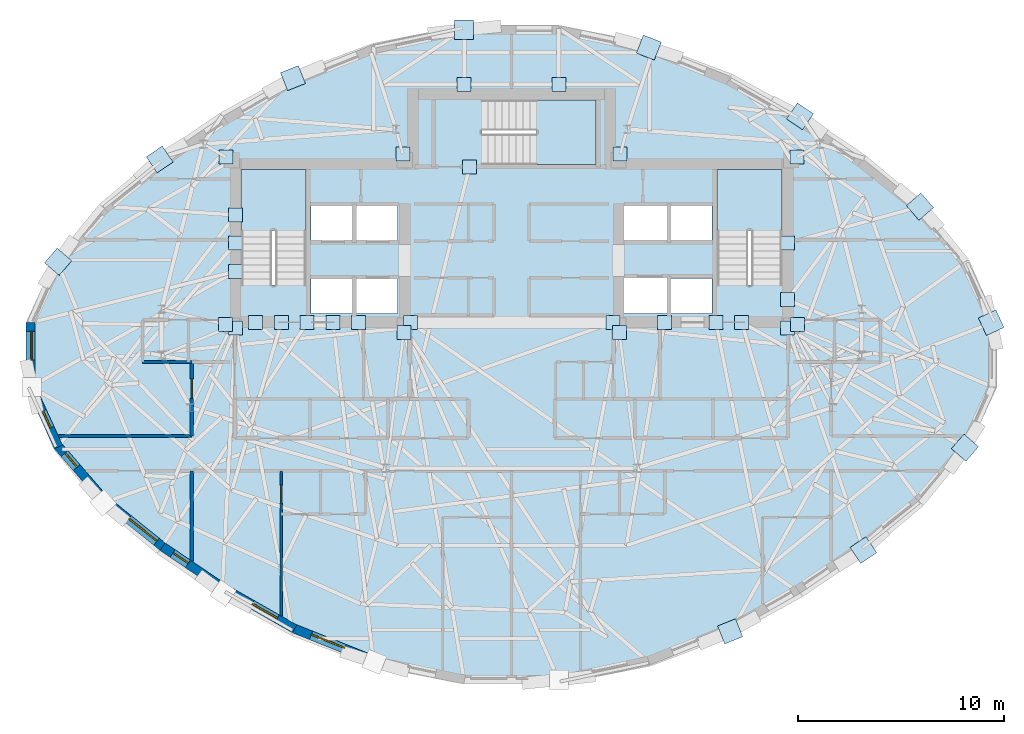
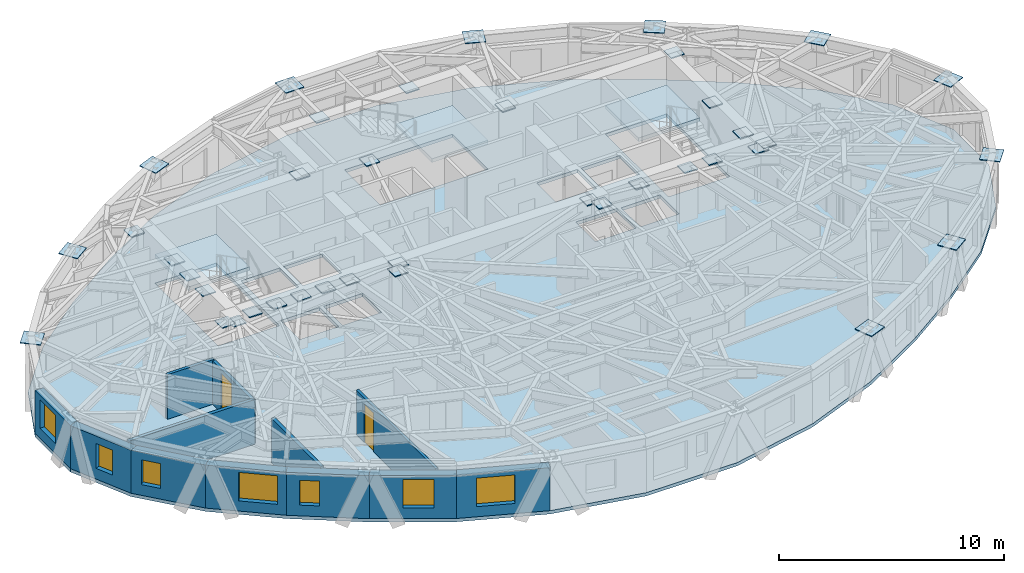
# One storey, part 5 of 14: 39 plates, 12 walls, 7 windows, 4 slabs, 2 doors, 9 openings, 3 elements without a shape of their own.
"""IFC4 building model written with IfcOpenShell, lengths in metres."""

from ifc_helpers import new_model, si_unit, direction, frame, frame_2d, origin, origin_2d, place, context, subcontext, project, spatial, polyline, rectangle, outline, extrude, material, layer, layer_set, type_object, element, fill, aggregate, save


model = new_model("IFC4")

# Units and contexts
model_context = context("Model", 3, precision=1e-05, world=origin(), true_north=direction((0.0, 1.0)))
body_context = subcontext(model_context, "Body", "Model", "MODEL_VIEW")
ifc_project = project(units=[si_unit("LENGTHUNIT", "METRE"), si_unit("AREAUNIT", "SQUARE_METRE"), si_unit("VOLUMEUNIT", "CUBIC_METRE"), si_unit("PLANEANGLEUNIT", "RADIAN"), si_unit("MASSUNIT", "GRAM", prefix="KILO")], contexts=[model_context])

# Site, building, storey
site_placement = place(None, origin())
site = spatial("IfcSite", under=ifc_project, at=site_placement, CompositionType="ELEMENT")
building_placement = place(site_placement, origin())
building = spatial("IfcBuilding", under=site, at=building_placement, Name="Keldmark Tower", CompositionType="ELEMENT")
storey_placement = place(building_placement, frame((0.0, 0.0, 213.14990234375)))
storey = spatial("IfcBuildingStorey", under=building, at=storey_placement, Name="L59", CompositionType="ELEMENT", Elevation=213.14990234375)

# Plates
ifc_material_1 = material(Name="Steel ASTM A572 Grade 50", Category="steel")
ifc_layer_1 = layer(ifc_material_1, 0.06005859375)
ifc_layer_set_1 = layer_set([ifc_layer_1], Name="Steel ASTM A572 Grade 50")
plate_type_1 = type_object("IfcPlateType", Name="Belt Truss Kink Node Assembly KN01 60 mm", PredefinedType="USERDEFINED", material=ifc_layer_set_1)
for number, where, z_axis, x_axis, name in (
    (1, (13.91162109375, 1.473388671875, 2.67822265625), (0.0, 0.0, 1.0), (1.0, 0.0, 0.0), "L59 Core Wall Cast-In Embed Plate 1731"),
    (2, (13.878173828125, 9.608154296875, 2.67822265625), (0.0, 0.0, 1.0), (1.0, 0.0, 0.0), "L59 Core Wall Cast-In Embed Plate 1732"),
    (3, (5.28515625, 9.758544921875, 2.67822265625), (0.0, 0.0, 1.0), (1.0, 0.0, 0.0), "L59 Core Wall Cast-In Embed Plate 1733"),
    (4, (-5.28515625, 9.758544921875, 2.67822265625), (0.0, 0.0, 1.0), (1.0, 0.0, 0.0), "L59 Core Wall Cast-In Embed Plate 1734"),
    (5, (-13.878173828125, 9.608154296875, 2.67822265625), (0.0, 0.0, 1.0), (1.0, 0.0, 0.0), "L59 Core Wall Cast-In Embed Plate 1735"),
    (6, (-13.91162109375, 1.473388671875, 2.67822265625), (0.0, 0.0, 1.0), (1.0, 0.0, 0.0), "L59 Core Wall Cast-In Embed Plate 1736"),
    (7, (-5.24072265625, 1.08251953125, 2.67822265625), (0.0, 0.0, 1.0), (1.0, 0.0, 0.0), "L59 Core Wall Cast-In Embed Plate 1737"),
    (8, (5.24072265625, 1.08251953125, 2.67822265625), (0.0, 0.0, 1.0), (1.0, 0.0, 0.0), "L59 Core Wall Cast-In Embed Plate 1738"),
    (9, (-11.19287109375, 1.574951171875, 2.67431640625), (0.0, 0.0, 1.0), (1.0, 0.0, 0.0), "L59 Core Wall Cast-In Embed Plate 1739"),
    (10, (-7.43212890625, 1.574951171875, 2.67431640625), (0.0, 0.0, 1.0), (1.0, 0.0, 0.0), "L59 Core Wall Cast-In Embed Plate 1740"),
    (11, (7.43212890625, 1.574951171875, 2.67431640625), (0.0, 0.0, 1.0), (1.0, 0.0, 0.0), "L59 Core Wall Cast-In Embed Plate 1741"),
    (12, (11.19287109375, 1.574951171875, 2.67431640625), (0.0, 0.0, 1.0), (1.0, 0.0, 0.0), "L59 Core Wall Cast-In Embed Plate 1742"),
    (13, (13.425048828125, 2.675048828125, 2.67431640625), (0.0, 0.0, 1.0), (1.0, 0.0, 0.0), "L59 Core Wall Cast-In Embed Plate 1743"),
    (14, (-13.425048828125, 1.300048828125, 2.67431640625), (0.0, 0.0, 1.0), (1.0, 0.0, 0.0), "L59 Core Wall Cast-In Embed Plate 1744"),
    (15, (-2.04296875, 9.139892578125, 2.67431640625), (0.0, 0.0, 1.0), (1.0, 0.0, 0.0), "L59 Core Wall Cast-In Embed Plate 1745"),
    (16, (9.939208984375, 1.574951171875, 2.67431640625), (0.0, 0.0, 1.0), (1.0, 0.0, 0.0), "L59 Core Wall Cast-In Embed Plate 1746"),
    (17, (13.425048828125, 1.300048828125, 2.67431640625), (0.0, 0.0, 1.0), (1.0, 0.0, 0.0), "L59 Core Wall Cast-In Embed Plate 1747"),
    (18, (13.425048828125, 5.425048828125, 2.67431640625), (0.0, 0.0, 1.0), (1.0, 0.0, 0.0), "L59 Core Wall Cast-In Embed Plate 1748"),
    (19, (-13.425048828125, 4.050048828125, 2.67431640625), (0.0, 0.0, 1.0), (1.0, 0.0, 0.0), "L59 Core Wall Cast-In Embed Plate 1749"),
    (20, (-13.425048828125, 5.425048828125, 2.67431640625), (0.0, 0.0, 1.0), (1.0, 0.0, 0.0), "L59 Core Wall Cast-In Embed Plate 1750"),
    (21, (-13.425048828125, 6.800048828125, 2.67431640625), (0.0, 0.0, 1.0), (1.0, 0.0, 0.0), "L59 Core Wall Cast-In Embed Plate 1751"),
    (22, (4.925048828125, 1.574951171875, 2.67431640625), (0.0, 0.0, 1.0), (1.0, 0.0, 0.0), "L59 Core Wall Cast-In Embed Plate 1752"),
    (23, (-9.939208984375, 1.574951171875, 2.67431640625), (0.0, 0.0, 1.0), (1.0, 0.0, 0.0), "L59 Core Wall Cast-In Embed Plate 1753"),
    (24, (-8.685791015625, 1.574951171875, 2.67431640625), (0.0, 0.0, 1.0), (1.0, 0.0, 0.0), "L59 Core Wall Cast-In Embed Plate 1754"),
    (25, (-12.4462890625, 1.574951171875, 2.67431640625), (0.0, 0.0, 1.0), (1.0, 0.0, 0.0), "L59 Core Wall Cast-In Embed Plate 1755"),
    (26, (-4.925048828125, 1.574951171875, 2.67431640625), (0.0, 0.0, 1.0), (1.0, 0.0, 0.0), "L59 Core Wall Cast-In Embed Plate 1756"),
    (27, (2.302978515625, 13.14990234375, 2.67431640625), (0.0, 0.0, 1.0), (1.0, 0.0, 0.0), "L59 Core Wall Cast-In Embed Plate 1757"),
    (28, (-2.302978515625, 13.14990234375, 2.67431640625), (0.0, 0.0, 1.0), (1.0, 0.0, 0.0), "L59 Core Wall Cast-In Embed Plate 1758"),
):
    element("IfcPlate", number, at=place(storey_placement, frame(where, z_axis=z_axis, x_axis=x_axis)), inside=storey, type_object=plate_type_1, Name=name, ObjectType="CAP PLATE", PredefinedType="USERDEFINED", context=body_context, shape_type="SweptSolid", body=[
        extrude(rectangle(XDim=0.679931640625, YDim=0.679931640625, at=origin_2d()), origin(), (0.0, 0.0, 1.0), 0.054931640625),
    ])
ifc_material_2 = material(Name="Steel ASTM A572 Grade 50", Category="steel")
ifc_layer_2 = layer(ifc_material_2, 0.0400390625)
ifc_layer_set_2 = layer_set([ifc_layer_2], Name="Steel ASTM A572 Grade 50")
plate_type_2 = type_object("IfcPlateType", Name="Diagrid Node Assembly DN05 40 mm", PredefinedType="USERDEFINED", material=ifc_layer_set_2)
for number, where, z_axis, x_axis, name in (
    (29, (23.32421875, 1.55615234375, 2.830078125), (0.0, 0.0, 1.0), (-0.417391322773, 0.908726847669, 0.0), "L59 Diagrid Node Assembly 01"),
    (30, (19.85986328125, 7.202880859375, 2.830078125), (0.0, 0.0, 1.0), (-0.654080957909, 0.756424550435, 0.0), "L59 Diagrid Node Assembly 02"),
    (31, (14.026123046875, 11.591796875, 2.830078125), (0.0, 0.0, 1.0), (-0.827570769564, 0.561361399958, 0.0), "L59 Diagrid Node Assembly 04"),
    (32, (6.676025390625, 14.93701171875, 2.830078125), (0.0, 0.0, 1.0), (-0.929197090365, 0.369584587417, 0.0), "L59 Diagrid Node Assembly 06"),
    (33, (-2.30908203125, 15.800048828125, 2.830078125), (0.0, 0.0, 1.0), (-1.0, 0.0, 0.0), "L59 Diagrid Node Assembly 08"),
    (34, (-10.628662109375, 13.450927734375, 2.830078125), (0.0, 0.0, 1.0), (-0.929197090365, -0.369584587417, 0.0), "L59 Diagrid Node Assembly 10"),
    (35, (-17.109375, 9.498046875, 2.830078125), (0.0, 0.0, 1.0), (-0.827570769564, -0.561361399958, 0.0), "L59 Diagrid Node Assembly 12"),
    (36, (-22.048583984375, 4.518798828125, 2.830078125), (0.0, 0.0, 1.0), (-0.654080957909, -0.756424550435, 0.0), "L59 Diagrid Node Assembly 14"),
    (37, (10.628662109375, -13.450927734375, 2.830078125), (0.0, 0.0, 1.0), (0.929197090365, 0.369584587417, 0.0), "L59 Diagrid Node Assembly 26"),
    (38, (17.109375, -9.498046875, 2.830078125), (0.0, 0.0, 1.0), (0.827570769564, 0.561361399958, 0.0), "L59 Diagrid Node Assembly 28"),
    (39, (22.048583984375, -4.518798828125, 2.830078125), (0.0, 0.0, 1.0), (0.654080957909, 0.756424550435, 0.0), "L59 Diagrid Node Assembly 30"),
):
    element("IfcPlate", number, at=place(storey_placement, frame(where, z_axis=z_axis, x_axis=x_axis)), inside=storey, type_object=plate_type_2, Name=name, ObjectType="GUSSET", PredefinedType="USERDEFINED", context=body_context, shape_type="SweptSolid", body=[
        extrude(rectangle(XDim=0.93994140625, YDim=0.93994140625, at=origin_2d()), origin(), (0.0, 0.0, 1.0), 0.0400390625),
    ])

# Slab
ifc_material_3 = material(Name="Concrete C35/45", Category="concrete")
ifc_layer_3 = layer(ifc_material_3, 0.179931640625)
ifc_layer_set_3 = layer_set([ifc_layer_3], Name="Concrete C35/45")
slab_type_1 = type_object("IfcSlabType", Name="Hotel and Residential Slab 180 mm", PredefinedType="FLOOR", material=ifc_layer_set_3)
slab_1_placement = place(storey_placement, frame((0.0, 0.0, -0.179931640625)))
element("IfcSlab", 40, at=slab_1_placement, inside=storey, type_object=slab_type_1, Name="L59 Composite Structural Floor Slab", PredefinedType="FLOOR", context=body_context, shape_type="SweptSolid", body=[
    extrude(outline(polyline([(23.609130859375, 1.5771484375), (22.232666015625, 4.57421875), (19.9375, 7.227783203125), (17.096435546875, 9.51611328125), (14.03076171875, 11.595458984375), (10.656982421875, 13.5224609375), (6.744140625, 15.0791015625), (2.3251953125, 16.0126953125), (-2.3251953125, 16.0126953125), (-6.744140625, 15.0791015625), (-10.656982421875, 13.5224609375), (-14.03076171875, 11.595458984375), (-17.096435546875, 9.51611328125), (-19.9375, 7.227783203125), (-22.232666015625, 4.57421875), (-23.609130859375, 1.5771484375), (-23.609130859375, -1.5771484375), (-22.232666015625, -4.57421875), (-19.9375, -7.227783203125), (-17.096435546875, -9.51611328125), (-14.03076171875, -11.595458984375), (-10.656982421875, -13.5224609375), (-6.744140625, -15.0791015625), (-2.3251953125, -16.0126953125), (2.3251953125, -16.0126953125), (6.744140625, -15.0791015625), (10.656982421875, -13.5224609375), (14.03076171875, -11.595458984375), (17.096435546875, -9.51611328125), (19.9375, -7.227783203125), (22.232666015625, -4.57421875), (23.609130859375, -1.5771484375), (23.609130859375, 1.5771484375)]), holes=[polyline([(-10.0, 3.385009765625), (-10.0, 9.0), (-13.14990234375, 9.0), (-13.14990234375, 3.385009765625), (-10.0, 3.385009765625)]), polyline([(13.14990234375, 3.385009765625), (13.14990234375, 9.0), (10.0, 9.0), (10.0, 3.385009765625), (13.14990234375, 3.385009765625)]), polyline([(-1.43994140625, 9.25), (4.10498046875, 9.25), (4.10498046875, 12.39990234375), (-1.43994140625, 12.39990234375), (-1.43994140625, 9.25)]), polyline([(-9.75, 2.0), (-7.75, 2.0), (-7.75, 3.699951171875), (-9.75, 3.699951171875), (-9.75, 2.0)]), polyline([(7.75, 2.0), (9.75, 2.0), (9.75, 3.699951171875), (7.75, 3.699951171875), (7.75, 2.0)]), polyline([(5.449951171875, 2.0), (7.550048828125, 2.0), (7.550048828125, 3.75), (5.449951171875, 3.75), (5.449951171875, 2.0)]), polyline([(-9.75, 5.550048828125), (-7.75, 5.550048828125), (-7.75, 7.25), (-9.75, 7.25), (-9.75, 5.550048828125)]), polyline([(-7.550048828125, 5.550048828125), (-5.550048828125, 5.550048828125), (-5.550048828125, 7.25), (-7.550048828125, 7.25), (-7.550048828125, 5.550048828125)]), polyline([(-7.550048828125, 2.0), (-5.550048828125, 2.0), (-5.550048828125, 3.699951171875), (-7.550048828125, 3.699951171875), (-7.550048828125, 2.0)]), polyline([(5.449951171875, 5.550048828125), (7.550048828125, 5.550048828125), (7.550048828125, 7.25), (5.449951171875, 7.25), (5.449951171875, 5.550048828125)]), polyline([(7.75, 5.550048828125), (9.75, 5.550048828125), (9.75, 7.25), (7.75, 7.25), (7.75, 5.550048828125)])]), origin(), (0.0, 0.0, 1.0), 0.179931640625),
])

# Stair, slab
ifc_material_4 = material(Name="Concrete C40/50", Category="concrete")
stair_type = type_object("IfcStairType", Name="Precast Concrete Core Exit Stair", PredefinedType="HALF_TURN_STAIR", material=ifc_material_4)
stair_1_placement = place(storey_placement, origin())
stair_1 = element("IfcStair", 41, at=stair_1_placement, inside=storey, type_object=stair_type, Name="L59 Exit Stair ST1", PredefinedType="HALF_TURN_STAIR")
ifc_material_5 = material(Name="Concrete C40/50", Category="concrete")
ifc_layer_4 = layer(ifc_material_5, 0.199951171875)
ifc_layer_set_4 = layer_set([ifc_layer_4], Name="Concrete C40/50")
slab_type_2 = type_object("IfcSlabType", Name="Reinforced Concrete Stair Landing 200 mm", PredefinedType="LANDING", material=ifc_layer_set_4)
slab_2_placement = place(storey_placement, frame((0.0, 0.0, 1.375)))
slab_2 = element("IfcSlab", 42, at=slab_2_placement, type_object=slab_type_2, Name="ST1 landing 1", PredefinedType="LANDING", context=body_context, shape_type="SweptSolid", body=[
    extrude(outline(polyline([(-10.0, 6.050048828125), (-10.0, 9.0), (-13.14990234375, 9.0), (-13.14990234375, 6.050048828125), (-10.0, 6.050048828125)])), origin(), (0.0, 0.0, 1.0), 0.2001953125),
])
aggregate(stair_1, [slab_2])

stair_2_placement = place(storey_placement, origin())
stair_2 = element("IfcStair", 43, at=stair_2_placement, inside=storey, type_object=stair_type, Name="L59 Exit Stair ST2", PredefinedType="HALF_TURN_STAIR")
slab_3_placement = place(storey_placement, frame((0.0, 0.0, 1.375)))
slab_3 = element("IfcSlab", 44, at=slab_3_placement, type_object=slab_type_2, Name="ST2 landing 1", PredefinedType="LANDING", context=body_context, shape_type="SweptSolid", body=[
    extrude(outline(polyline([(13.14990234375, 6.050048828125), (13.14990234375, 9.0), (10.0, 9.0), (10.0, 6.050048828125), (13.14990234375, 6.050048828125)])), origin(), (0.0, 0.0, 1.0), 0.2001953125),
])
aggregate(stair_2, [slab_3])

stair_3_placement = place(storey_placement, origin())
stair_3 = element("IfcStair", 45, at=stair_3_placement, inside=storey, type_object=stair_type, Name="L59 Exit Stair ST3", PredefinedType="HALF_TURN_STAIR")
slab_4_placement = place(storey_placement, frame((0.0, 0.0, 1.375)))
slab_4 = element("IfcSlab", 46, at=slab_4_placement, type_object=slab_type_2, Name="ST3 landing 1", PredefinedType="LANDING", context=body_context, shape_type="SweptSolid", body=[
    extrude(outline(polyline([(1.22509765625, 9.25), (4.10498046875, 9.25), (4.10498046875, 12.39990234375), (1.22509765625, 12.39990234375), (1.22509765625, 9.25)])), origin(), (0.0, 0.0, 1.0), 0.2001953125),
])
aggregate(stair_3, [slab_4])

# Wall, opening, door
ifc_material_6 = material(Name="Acoustic Gypsum Board Interior Partition", Category="gypsum")
ifc_layer_5 = layer(ifc_material_6, 0.1298828125)
ifc_layer_set_5 = layer_set([ifc_layer_5], Name="Acoustic Gypsum Board Interior Partition")
wall_type_1 = type_object("IfcWallType", Name="Interior Partition 130 mm", PredefinedType="PARTITIONING", material=ifc_layer_set_5)
wall_1_placement = place(storey_placement, frame((-11.199951171875, -12.6962890625, 0.0), z_axis=(0.0, 0.0, 1.0), x_axis=(0.0, 1.0, 0.0)))
wall_1 = element("IfcWall", 47, at=wall_1_placement, inside=storey, type_object=wall_type_1, Name="L59 Interior Partition 130 mm UA-BR1-E", PredefinedType="PARTITIONING", context=body_context, shape_type="SweptSolid", body=[
    extrude(rectangle(XDim=7.04638671875, YDim=0.1298828125, at=frame_2d((3.523193359375, 0.0))), origin(), (0.0, 0.0, 1.0), 2.423095703125),
])
opening_1_placement = place(wall_1_placement, frame((5.496337890625, 0.0, 0.0)))
opening_1 = element("IfcOpeningElement", 48, at=opening_1_placement, cuts=wall_1, Name="Opening D-BR085", PredefinedType="OPENING", context=body_context, shape_type="SweptSolid", body=[
    extrude(rectangle(XDim=0.85009765625, YDim=2.10009765625, at=frame_2d((0.425048828125, 1.050048828125))), frame((0.0, 0.074951171875, 0.0), z_axis=(0.0, -1.0, 0.0), x_axis=(1.0, 0.0, 0.0)), (0.0, 0.0, 1.0), 0.14990234375),
])
ifc_material_7 = material(Name="Solid-Core Stained Walnut Wood", Category="wood")
door_type_1 = type_object("IfcDoorType", Name="Bedroom Door 850x2100", OperationType="NOTDEFINED", PredefinedType="DOOR", material=ifc_material_7)
door_1_placement = place(opening_1_placement, origin())
door_1 = element("IfcDoor", 49, at=door_1_placement, inside=storey, type_object=door_type_1, Name="L59 Bedroom Door 850x2100 D-UA-BR1-L59", OperationType="SINGLE_SWING_RIGHT", OverallHeight=2.10009765625, OverallWidth=0.85009765625, PredefinedType="DOOR", context=body_context, shape_type="SweptSolid", body=[
    extrude(rectangle(XDim=0.85009765625, YDim=2.10009765625, at=frame_2d((0.425048828125, 1.050048828125))), frame((0.0, 0.02490234375, 0.0), z_axis=(0.0, -1.0, 0.0), x_axis=(1.0, 0.0, 0.0)), (0.0, 0.0, 1.0), 0.050048828125),
])
fill(opening_1, door_1)

# Wall
ifc_material_8 = material(Name="Type X Fire-Rated Gypsum Partition Assembly", Category="gypsum")
ifc_layer_6 = layer(ifc_material_8, 0.1650390625)
ifc_layer_set_6 = layer_set([ifc_layer_6], Name="Type X Fire-Rated Gypsum Partition Assembly")
wall_type_2 = type_object("IfcWallType", Name="Rated Partition 165 mm", PredefinedType="PARTITIONING", material=ifc_layer_set_6)
wall_2_placement = place(storey_placement, frame((-22.0263671875, -3.949951171875, 0.0), z_axis=(0.0, 0.0, 1.0), x_axis=(1.0, 0.0, 0.0)))
element("IfcWall", 50, at=wall_2_placement, inside=storey, type_object=wall_type_2, Name="L59 Rated Partition 165 mm RCOR-WN-OUT", PredefinedType="PARTITIONING", context=body_context, shape_type="SweptSolid", body=[
    extrude(rectangle(XDim=6.476318359375, YDim=0.1650390625, at=frame_2d((3.23828125, 0.0))), origin(), (0.0, 0.0, 1.0), 2.423095703125),
])

# Wall, opening, door
wall_3_placement = place(storey_placement, frame((-15.550048828125, -3.949951171875, 0.0), z_axis=(0.0, 0.0, 1.0), x_axis=(0.0, 1.0, 0.0)))
wall_3 = element("IfcWall", 51, at=wall_3_placement, inside=storey, type_object=wall_type_2, Name="L59 Rated Partition 165 mm RCOR-VW", PredefinedType="PARTITIONING", context=body_context, shape_type="SweptSolid", body=[
    extrude(rectangle(XDim=3.599853515625, YDim=0.1650390625, at=frame_2d((1.7998046875, 0.0))), origin(), (0.0, 0.0, 1.0), 2.357177734375),
])
opening_2_placement = place(wall_3_placement, frame((1.830078125, 0.0, 0.0)))
opening_2 = element("IfcOpeningElement", 52, at=opening_2_placement, cuts=wall_3, Name="Opening D-AP095", PredefinedType="OPENING", context=body_context, shape_type="SweptSolid", body=[
    extrude(rectangle(XDim=0.949951171875, YDim=2.14990234375, at=frame_2d((0.47509765625, 1.074951171875))), frame((0.0, 0.092529296875, 0.0), z_axis=(0.0, -1.0, 0.0), x_axis=(1.0, 0.0, 0.0)), (0.0, 0.0, 1.0), 0.18505859375),
])
ifc_material_9 = material(Name="Solid-Core Walnut Fire-Rated Entry Assembly", Category="wood")
door_type_2 = type_object("IfcDoorType", Name="Apartment Entry Door 950x2150", OperationType="NOTDEFINED", PredefinedType="DOOR", material=ifc_material_9)
door_2_placement = place(opening_2_placement, origin())
door_2 = element("IfcDoor", 53, at=door_2_placement, inside=storey, type_object=door_type_2, Name="L59 Apartment Entry Door 950x2150 D-UC-ENT-L59", OperationType="SINGLE_SWING_RIGHT", OverallHeight=2.14990234375, OverallWidth=0.949951171875, PredefinedType="DOOR", context=body_context, shape_type="SweptSolid", body=[
    extrude(rectangle(XDim=0.949951171875, YDim=2.14990234375, at=frame_2d((0.47509765625, 1.074951171875))), frame((0.0, 0.02490234375, 0.0), z_axis=(0.0, -1.0, 0.0), x_axis=(1.0, 0.0, 0.0)), (0.0, 0.0, 1.0), 0.050048828125),
])
fill(opening_2, door_2)

# Wall
wall_4_placement = place(storey_placement, frame((-15.550048828125, -10.023681640625, 0.0), z_axis=(0.0, 0.0, 1.0), x_axis=(0.0, 1.0, 0.0)))
element("IfcWall", 54, at=wall_4_placement, inside=storey, type_object=wall_type_2, Name="L59 Rated Partition 165 mm RS-WCAP", PredefinedType="PARTITIONING", context=body_context, shape_type="SweptSolid", body=[
    extrude(rectangle(XDim=4.373779296875, YDim=0.1650390625, at=frame_2d((2.18701171875, 0.0))), origin(), (0.0, 0.0, 1.0), 2.423095703125),
])

# Wall, opening, window
ifc_material_10 = material(Name="Ironspot Manganese Brick and Kasota Buff Limestone Spandrel Assembly", Category="masonry")
ifc_layer_7 = layer(ifc_material_10, 0.43994140625)
ifc_layer_set_7 = layer_set([ifc_layer_7], Name="Ironspot Manganese Brick and Kasota Buff Limestone Spandrel Assembly")
wall_type_3 = type_object("IfcWallType", Name="Tower Brick Pier and Spandrel Wall 440 mm", PredefinedType="STANDARD", material=ifc_layer_set_7)
wall_5_placement = place(storey_placement, frame((-23.38916015625, -1.5771484375, 0.0), z_axis=(0.0, 0.0, 1.0), x_axis=(0.0, 1.0, 0.0)))
wall_5 = element("IfcWall", 55, at=wall_5_placement, inside=storey, type_object=wall_type_3, Name="L59 Exterior Brick and Spandrel Wall 16", PredefinedType="STANDARD", context=body_context, shape_type="SweptSolid", body=[
    extrude(rectangle(XDim=3.154296875, YDim=0.43994140625, at=frame_2d((1.5771484375, 0.0))), origin(), (0.0, 0.0, 1.0), 2.336181640625),
])
opening_3_placement = place(wall_5_placement, frame((1.3125, 0.0, 0.550048828125)))
opening_3 = element("IfcOpeningElement", 56, at=opening_3_placement, cuts=wall_5, Name="Opening W-08", PredefinedType="OPENING", context=body_context, shape_type="SweptSolid", body=[
    extrude(rectangle(XDim=1.39990234375, YDim=1.550048828125, at=frame_2d((0.699951171875, 0.77490234375))), frame((0.0, 0.22998046875, 0.0), z_axis=(0.0, -1.0, 0.0), x_axis=(1.0, 0.0, 0.0)), (0.0, 0.0, 1.0), 0.4599609375),
])
ifc_material_11 = material(Name="Thermally Broken Anodized Aluminum and Triple Low-E Argon Glazing", Category="aluminium")
window_type_1 = type_object("IfcWindowType", Name="Residential Corner Punched Window 1400x1550", PartitioningType="SINGLE_PANEL", PredefinedType="WINDOW", material=ifc_material_11)
window_1_placement = place(opening_3_placement, origin())
window_1 = element("IfcWindow", 57, at=window_1_placement, inside=storey, type_object=window_type_1, Name="L59 Deep-Set Window 16", OverallHeight=1.550048828125, OverallWidth=1.39990234375, PartitioningType="SINGLE_PANEL", PredefinedType="WINDOW", context=body_context, shape_type="SweptSolid", body=[
    extrude(rectangle(XDim=1.39990234375, YDim=1.550048828125, at=frame_2d((0.699951171875, 0.77490234375))), frame((0.0, -0.010009765625, 0.0), z_axis=(0.0, -1.0, 0.0), x_axis=(1.0, 0.0, 0.0)), (0.0, 0.0, 1.0), 0.06005859375),
])
fill(opening_3, window_1)

wall_6_placement = place(storey_placement, frame((-22.03271484375, -4.482421875, 0.0), z_axis=(0.0, 0.0, 1.0), x_axis=(-0.417358097416, 0.908742107818, 0.0)))
wall_6 = element("IfcWall", 58, at=wall_6_placement, inside=storey, type_object=wall_type_3, Name="L59 Exterior Brick and Spandrel Wall 17", PredefinedType="STANDARD", context=body_context, shape_type="SweptSolid", body=[
    extrude(rectangle(XDim=3.298095703125, YDim=0.43994140625, at=frame_2d((1.64892578125, 0.0))), origin(), (0.0, 0.0, 1.0), 2.336181640625),
])
opening_4_placement = place(wall_6_placement, frame((0.999267578125, 0.0, 0.580078125)))
opening_4 = element("IfcOpeningElement", 59, at=opening_4_placement, cuts=wall_6, Name="Opening W-09", PredefinedType="OPENING", context=body_context, shape_type="SweptSolid", body=[
    extrude(rectangle(XDim=0.89990234375, YDim=1.35009765625, at=frame_2d((0.449951171875, 0.675048828125))), frame((0.0, 0.22998046875, 0.0), z_axis=(0.0, -1.0, 0.0), x_axis=(1.0, 0.0, 0.0)), (0.0, 0.0, 1.0), 0.4599609375),
])
ifc_material_12 = material(Name="Thermally Broken Anodized Aluminum and Triple Low-E Argon Glazing", Category="aluminium")
window_type_2 = type_object("IfcWindowType", Name="Corner Pier Deep-Set Window 900x1350", PartitioningType="SINGLE_PANEL", PredefinedType="WINDOW", material=ifc_material_12)
window_2_placement = place(opening_4_placement, origin())
window_2 = element("IfcWindow", 60, at=window_2_placement, inside=storey, type_object=window_type_2, Name="L59 Deep-Set Window 17", OverallHeight=1.35009765625, OverallWidth=0.89990234375, PartitioningType="SINGLE_PANEL", PredefinedType="WINDOW", context=body_context, shape_type="SweptSolid", body=[
    extrude(rectangle(XDim=0.89990234375, YDim=1.35009765625, at=frame_2d((0.449951171875, 0.675048828125))), frame((0.0, -0.010009765625, 0.0), z_axis=(0.0, -1.0, 0.0), x_axis=(1.0, 0.0, 0.0)), (0.0, 0.0, 1.0), 0.06005859375),
])
fill(opening_4, window_2)

wall_7_placement = place(storey_placement, frame((-19.771240234375, -7.083984375, 0.0), z_axis=(0.0, 0.0, 1.0), x_axis=(-0.654143325051, 0.75637061702, 0.0)))
wall_7 = element("IfcWall", 61, at=wall_7_placement, inside=storey, type_object=wall_type_3, Name="L59 Exterior Brick and Spandrel Wall 18", PredefinedType="STANDARD", context=body_context, shape_type="SweptSolid", body=[
    extrude(rectangle(XDim=3.50830078125, YDim=0.43994140625, at=frame_2d((1.754150390625, 0.0))), origin(), (0.0, 0.0, 1.0), 2.336181640625),
])
opening_5_placement = place(wall_7_placement, frame((2.114013671875, 0.0, 0.580078125)))
opening_5 = element("IfcOpeningElement", 62, at=opening_5_placement, cuts=wall_7, Name="Opening W-09", PredefinedType="OPENING", context=body_context, shape_type="SweptSolid", body=[
    extrude(rectangle(XDim=0.89990234375, YDim=1.35009765625, at=frame_2d((0.449951171875, 0.675048828125))), frame((0.0, 0.22998046875, 0.0), z_axis=(0.0, -1.0, 0.0), x_axis=(1.0, 0.0, 0.0)), (0.0, 0.0, 1.0), 0.4599609375),
])
window_3_placement = place(opening_5_placement, origin())
window_3 = element("IfcWindow", 63, at=window_3_placement, inside=storey, type_object=window_type_2, Name="L59 Deep-Set Window 18", OverallHeight=1.35009765625, OverallWidth=0.89990234375, PartitioningType="SINGLE_PANEL", PredefinedType="WINDOW", context=body_context, shape_type="SweptSolid", body=[
    extrude(rectangle(XDim=0.89990234375, YDim=1.35009765625, at=frame_2d((0.449951171875, 0.675048828125))), frame((0.0, -0.010009765625, 0.0), z_axis=(0.0, -1.0, 0.0), x_axis=(1.0, 0.0, 0.0)), (0.0, 0.0, 1.0), 0.06005859375),
])
fill(opening_5, window_3)

wall_8_placement = place(storey_placement, frame((-16.95849609375, -9.344970703125, 0.0), z_axis=(0.0, 0.0, 1.0), x_axis=(-0.778794775864, 0.627278803314, 0.0)))
wall_8 = element("IfcWall", 64, at=wall_8_placement, inside=storey, type_object=wall_type_3, Name="L59 Exterior Brick and Spandrel Wall 19", PredefinedType="STANDARD", context=body_context, shape_type="SweptSolid", body=[
    extrude(rectangle(XDim=3.64794921875, YDim=0.43994140625, at=frame_2d((1.823974609375, 0.0))), origin(), (0.0, 0.0, 1.0), 2.336181640625),
])
opening_6_placement = place(wall_8_placement, frame((0.399658203125, 0.0, 0.550048828125)))
opening_6 = element("IfcOpeningElement", 65, at=opening_6_placement, cuts=wall_8, Name="Opening W-05", PredefinedType="OPENING", context=body_context, shape_type="SweptSolid", body=[
    extrude(rectangle(XDim=1.75, YDim=1.550048828125, at=frame_2d((0.875, 0.77490234375))), frame((0.0, 0.22998046875, 0.0), z_axis=(0.0, -1.0, 0.0), x_axis=(1.0, 0.0, 0.0)), (0.0, 0.0, 1.0), 0.4599609375),
])
ifc_material_13 = material(Name="Thermally Broken Anodized Aluminum and Triple Low-E Argon Glazing", Category="aluminium")
window_type_3 = type_object("IfcWindowType", Name="Residential Deep-Set Window 1750x1550", PartitioningType="DOUBLE_PANEL_VERTICAL", PredefinedType="WINDOW", material=ifc_material_13)
window_4_placement = place(opening_6_placement, origin())
window_4 = element("IfcWindow", 66, at=window_4_placement, inside=storey, type_object=window_type_3, Name="L59 Deep-Set Window 19", OverallHeight=1.550048828125, OverallWidth=1.75, PartitioningType="SINGLE_PANEL", PredefinedType="WINDOW", context=body_context, shape_type="SweptSolid", body=[
    extrude(rectangle(XDim=1.75, YDim=1.550048828125, at=frame_2d((0.875, 0.77490234375))), frame((0.0, -0.010009765625, 0.0), z_axis=(0.0, -1.0, 0.0), x_axis=(1.0, 0.0, 0.0)), (0.0, 0.0, 1.0), 0.06005859375),
])
fill(opening_6, window_4)

wall_9_placement = place(storey_placement, frame((-13.9072265625, -11.413330078125, 0.0), z_axis=(0.0, 0.0, 1.0), x_axis=(-0.827592777121, 0.561328954586, 0.0)))
wall_9 = element("IfcWall", 67, at=wall_9_placement, inside=storey, type_object=wall_type_3, Name="L59 Exterior Brick and Spandrel Wall 20", PredefinedType="STANDARD", context=body_context, shape_type="SweptSolid", body=[
    extrude(rectangle(XDim=3.704345703125, YDim=0.43994140625, at=frame_2d((1.85205078125, 0.0))), origin(), (0.0, 0.0, 1.0), 2.336181640625),
])
opening_7_placement = place(wall_9_placement, frame((2.2119140625, 0.0, 0.580078125)))
opening_7 = element("IfcOpeningElement", 68, at=opening_7_placement, cuts=wall_9, Name="Opening W-09", PredefinedType="OPENING", context=body_context, shape_type="SweptSolid", body=[
    extrude(rectangle(XDim=0.89990234375, YDim=1.35009765625, at=frame_2d((0.449951171875, 0.675048828125))), frame((0.0, 0.22998046875, 0.0), z_axis=(0.0, -1.0, 0.0), x_axis=(1.0, 0.0, 0.0)), (0.0, 0.0, 1.0), 0.4599609375),
])
window_5_placement = place(opening_7_placement, origin())
window_5 = element("IfcWindow", 69, at=window_5_placement, inside=storey, type_object=window_type_2, Name="L59 Deep-Set Window 20", OverallHeight=1.35009765625, OverallWidth=0.89990234375, PartitioningType="SINGLE_PANEL", PredefinedType="WINDOW", context=body_context, shape_type="SweptSolid", body=[
    extrude(rectangle(XDim=0.89990234375, YDim=1.35009765625, at=frame_2d((0.449951171875, 0.675048828125))), frame((0.0, -0.010009765625, 0.0), z_axis=(0.0, -1.0, 0.0), x_axis=(1.0, 0.0, 0.0)), (0.0, 0.0, 1.0), 0.06005859375),
])
fill(opening_7, window_5)

wall_10_placement = place(storey_placement, frame((-10.5478515625, -13.33154296875, 0.0), z_axis=(0.0, 0.0, 1.0), x_axis=(-0.868339797426, 0.495969753317, 0.0)))
wall_10 = element("IfcWall", 70, at=wall_10_placement, inside=storey, type_object=wall_type_3, Name="L59 Exterior Brick and Spandrel Wall 21", PredefinedType="STANDARD", context=body_context, shape_type="SweptSolid", body=[
    extrude(rectangle(XDim=3.88525390625, YDim=0.43994140625, at=frame_2d((1.942626953125, 0.0))), origin(), (0.0, 0.0, 1.0), 2.336181640625),
])
opening_8_placement = place(wall_10_placement, frame((0.994384765625, 0.0, 0.580078125)))
opening_8 = element("IfcOpeningElement", 71, at=opening_8_placement, cuts=wall_10, Name="Opening W-08", PredefinedType="OPENING", context=body_context, shape_type="SweptSolid", body=[
    extrude(rectangle(XDim=1.39990234375, YDim=1.550048828125, at=frame_2d((0.699951171875, 0.77490234375))), frame((0.0, 0.22998046875, 0.0), z_axis=(0.0, -1.0, 0.0), x_axis=(1.0, 0.0, 0.0)), (0.0, 0.0, 1.0), 0.4599609375),
])
window_6_placement = place(opening_8_placement, origin())
window_6 = element("IfcWindow", 72, at=window_6_placement, inside=storey, type_object=window_type_1, Name="L59 Deep-Set Window 21", OverallHeight=1.550048828125, OverallWidth=1.39990234375, PartitioningType="SINGLE_PANEL", PredefinedType="WINDOW", context=body_context, shape_type="SweptSolid", body=[
    extrude(rectangle(XDim=1.39990234375, YDim=1.550048828125, at=frame_2d((0.699951171875, 0.77490234375))), frame((0.0, -0.010009765625, 0.0), z_axis=(0.0, -1.0, 0.0), x_axis=(1.0, 0.0, 0.0)), (0.0, 0.0, 1.0), 0.06005859375),
])
fill(opening_8, window_6)

wall_11_placement = place(storey_placement, frame((-6.662841796875, -14.874755859375, 0.0), z_axis=(0.0, 0.0, 1.0), x_axis=(-0.929170765931, 0.369650764558, 0.0)))
wall_11 = element("IfcWall", 73, at=wall_11_placement, inside=storey, type_object=wall_type_3, Name="L59 Exterior Brick and Spandrel Wall 22", PredefinedType="STANDARD", context=body_context, shape_type="SweptSolid", body=[
    extrude(rectangle(XDim=4.211181640625, YDim=0.43994140625, at=frame_2d((2.10546875, 0.0))), origin(), (0.0, 0.0, 1.0), 2.336181640625),
])
opening_9_placement = place(wall_11_placement, frame((1.573974609375, 0.0, 0.550048828125)))
opening_9 = element("IfcOpeningElement", 74, at=opening_9_placement, cuts=wall_11, Name="Opening W-05", PredefinedType="OPENING", context=body_context, shape_type="SweptSolid", body=[
    extrude(rectangle(XDim=1.75, YDim=1.550048828125, at=frame_2d((0.875, 0.77490234375))), frame((0.0, 0.22998046875, 0.0), z_axis=(0.0, -1.0, 0.0), x_axis=(1.0, 0.0, 0.0)), (0.0, 0.0, 1.0), 0.4599609375),
])
window_7_placement = place(opening_9_placement, origin())
window_7 = element("IfcWindow", 75, at=window_7_placement, inside=storey, type_object=window_type_3, Name="L59 Deep-Set Window 22", OverallHeight=1.550048828125, OverallWidth=1.75, PartitioningType="SINGLE_PANEL", PredefinedType="WINDOW", context=body_context, shape_type="SweptSolid", body=[
    extrude(rectangle(XDim=1.75, YDim=1.550048828125, at=frame_2d((0.875, 0.77490234375))), frame((0.0, -0.010009765625, 0.0), z_axis=(0.0, -1.0, 0.0), x_axis=(1.0, 0.0, 0.0)), (0.0, 0.0, 1.0), 0.06005859375),
])
fill(opening_9, window_7)

# Wall
ifc_material_14 = material(Name="Moisture-Resistant Gypsum Plumbing Partition", Category="gypsum")
ifc_layer_8 = layer(ifc_material_14, 0.14990234375)
ifc_layer_set_8 = layer_set([ifc_layer_8], Name="Moisture-Resistant Gypsum Plumbing Partition")
wall_type_4 = type_object("IfcWallType", Name="Wet Wall 150 mm", PredefinedType="PLUMBINGWALL", material=ifc_layer_set_8)
wall_12_placement = place(storey_placement, frame((-17.949951171875, -0.35009765625, 0.0), z_axis=(0.0, 0.0, 1.0), x_axis=(1.0, 0.0, 0.0)))
element("IfcWall", 76, at=wall_12_placement, inside=storey, type_object=wall_type_4, Name="L59 Wet Wall 150 mm UC-BK-S", PredefinedType="PLUMBINGWALL", context=body_context, shape_type="SweptSolid", body=[
    extrude(rectangle(XDim=2.39990234375, YDim=0.14990234375, at=frame_2d((1.199951171875, 0.0))), origin(), (0.0, 0.0, 1.0), 2.423095703125),
])

save(model, "model.ifc")
